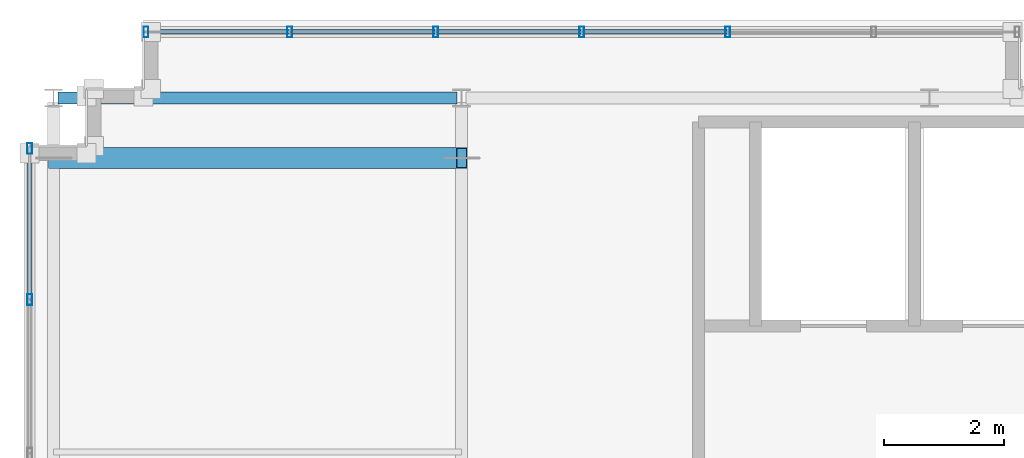
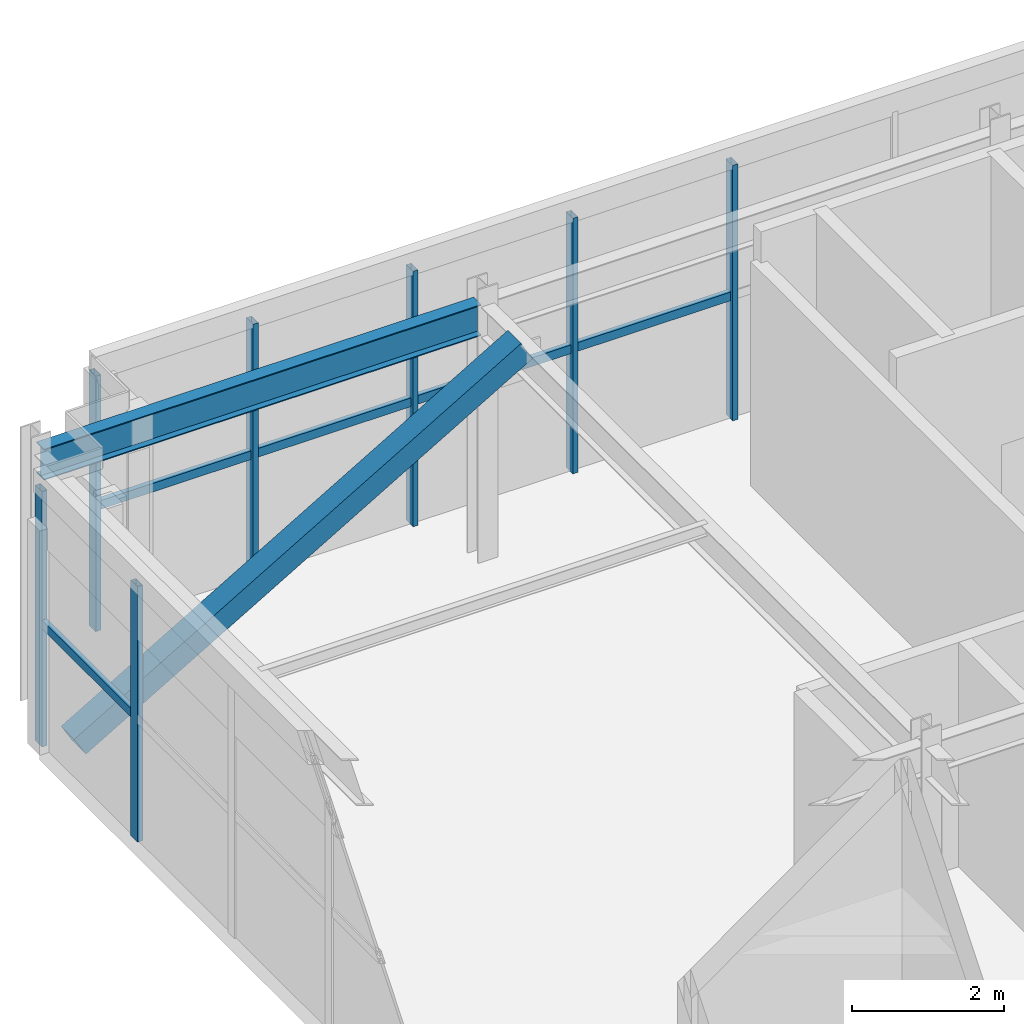
# One storey, part 10 of 28: 13 members, 1 beam, 2 elements without a shape of their own.
"""IFC4 building model written with IfcOpenShell, lengths in metres."""

from ifc_helpers import new_model, si_unit, direction, frame, origin, origin_2d, place, context, subcontext, project, spatial, hollow_rectangle, i_section, extrude, source, transform, mapped, material, material_profile, profile_set, type_object, element, aggregate, save


model = new_model("IFC4")

# Units and contexts
model_context = context("Model", 3, precision=1e-05, world=origin(), true_north=direction((0.0, 1.0)))
body_context = subcontext(model_context, "Body", "Model", "MODEL_VIEW")
ifc_project = project(units=[si_unit("LENGTHUNIT", "METRE"), si_unit("AREAUNIT", "SQUARE_METRE"), si_unit("VOLUMEUNIT", "CUBIC_METRE"), si_unit("PLANEANGLEUNIT", "RADIAN"), si_unit("MASSUNIT", "GRAM", prefix="KILO")], contexts=[model_context])

# Site, building, storey
site_placement = place(None, origin())
site = spatial("IfcSite", under=ifc_project, at=site_placement, CompositionType="ELEMENT")
building_placement = place(site_placement, origin())
building = spatial("IfcBuilding", under=site, at=building_placement, Name="Trelvane Seafront Commons", CompositionType="ELEMENT")
storey_placement = place(building_placement, frame((0.0, 0.0, 312.300048828125)))
storey = spatial("IfcBuildingStorey", under=building, at=storey_placement, Name="L81", CompositionType="ELEMENT", Elevation=312.300048828125)

# Beam
ifc_material_1 = material(Name="Steel SM355 (S355)", Category="steel")
ifc_material_profile_1 = material_profile(ifc_material_1, i_section(OverallWidth=0.199951171875, OverallDepth=0.5, WebThickness=0.010009765625, FlangeThickness=0.01611328125, at=origin_2d()), Name="H-500x200x10x16")
ifc_profile_set_1 = profile_set([ifc_material_profile_1], Name="Steel SM355 (S355)")
beam_type = type_object("IfcBeamType", Name="STR-CROWN-FRAME-RING", PredefinedType="SPANDREL", material=ifc_profile_set_1)
shared_shape_1 = source(origin(), body_context, "Body", "SweptSolid", [
    extrude(i_section(OverallWidth=0.199951171875, OverallDepth=0.5, WebThickness=0.010009765625, FlangeThickness=0.01611328125, at=origin_2d()), origin(), (0.0, 0.0, 1.0), 6.64990234375),
])
beam_placement = place(storey_placement, frame((8.875, 45.10009765625, 3.85986328125), z_axis=(1.0, 0.0, 0.0), x_axis=(0.0, 1.0, 0.0)))
element("IfcBeam", 1, at=beam_placement, inside=storey, type_object=beam_type, Name="L81 CROWN FRAME Ring Beam G-09", PredefinedType="SPANDREL", context=body_context, shape_type="MappedRepresentation", body=[
    mapped(shared_shape_1, transform((0.0, 0.0, 0.0), x_axis=(1.0, 0.0, 0.0), y_axis=(0.0, 1.0, 0.0), z_axis=(0.0, 0.0, 1.0), scale=1.0)),
])

# Member
ifc_material_profile_2 = material_profile(ifc_material_1, hollow_rectangle(XDim=0.35009765625, YDim=0.35009765625, WallThickness=0.01611328125, at=origin_2d()), Name="RHS-350x350x16")
ifc_profile_set_2 = profile_set([ifc_material_profile_2], Name="Steel SM355 (S355)")
member_type_1 = type_object("IfcMemberType", Name="STR-BRC-RHS350", PredefinedType="BRACE", material=ifc_profile_set_2)
shared_shape_2 = source(origin(), body_context, "Body", "SweptSolid", [
    extrude(hollow_rectangle(XDim=0.35009765625, YDim=0.35009765625, WallThickness=0.01611328125, at=origin_2d()), origin(), (0.0, 0.0, 1.0), 7.88427734375),
])
member_1_placement = place(storey_placement, frame((8.800048828125, 44.10009765625, 0.0), z_axis=(0.862490125065, 0.0, 0.506073892002), x_axis=(0.0, 1.0, 0.0)))
element("IfcMember", 2, at=member_1_placement, inside=storey, type_object=member_type_1, Name="L81 CROWN FRAME Diagonal Brace CW", PredefinedType="BRACE", context=body_context, shape_type="MappedRepresentation", body=[
    mapped(shared_shape_2, transform((0.0, 0.0, 0.0), x_axis=(1.0, 0.0, 0.0), y_axis=(0.0, 1.0, 0.0), z_axis=(0.0, 0.0, 1.0), scale=1.0)),
])

# Curtain wall, members
ifc_material_2 = material(Name="Anodised pale-silver aluminium", Category="aluminium")
curtain_wall_type = type_object("IfcCurtainWallType", Name="ARCH-CW6-CROWN", PredefinedType="NOTDEFINED", material=ifc_material_2)
curtain_wall_1_placement = place(storey_placement, origin())
curtain_wall_1 = element("IfcCurtainWall", 3, at=curtain_wall_1_placement, inside=storey, type_object=curtain_wall_type, Name="CW-L81-0144", PredefinedType="NOTDEFINED")
ifc_material_profile_3 = material_profile(ifc_material_2, hollow_rectangle(XDim=0.080078125, YDim=0.179931640625, WallThickness=0.00439453125, at=origin_2d()), Name="MULL-80x180x4.5")
ifc_profile_set_3 = profile_set([ifc_material_profile_3], Name="Anodised pale-silver aluminium")
member_type_2 = type_object("IfcMemberType", Name="ARCH-CW-MULL-180", PredefinedType="MULLION", material=ifc_profile_set_3)
shared_shape_3 = source(origin(), body_context, "Body", "SweptSolid", [
    extrude(hollow_rectangle(XDim=0.080078125, YDim=0.179931640625, WallThickness=0.00439453125, at=origin_2d()), origin(), (0.0, 0.0, 1.0), 4.10986328125),
])
member_2_placement = place(storey_placement, frame((8.39990234375, 41.739990234375, 0.0), z_axis=(0.0, 0.0, 1.0), x_axis=(1.0, 0.0, 0.0)))
member_2 = element("IfcMember", 4, at=member_2_placement, type_object=member_type_2, Name="CW-L81-0144-M09", PredefinedType="MULLION", context=body_context, shape_type="MappedRepresentation", body=[
    mapped(shared_shape_3, transform((0.0, 0.0, 0.0), x_axis=(1.0, 0.0, 0.0), y_axis=(0.0, 1.0, 0.0), z_axis=(0.0, 0.0, 1.0), scale=1.0)),
])
member_3_placement = place(storey_placement, frame((8.39990234375, 44.260009765625, 0.0), z_axis=(0.0, 0.0, 1.0), x_axis=(1.0, 0.0, 0.0)))
member_3 = element("IfcMember", 5, at=member_3_placement, type_object=member_type_2, Name="CW-L81-0144-M10", PredefinedType="MULLION", context=body_context, shape_type="MappedRepresentation", body=[
    mapped(shared_shape_3, transform((0.0, 0.0, 0.0), x_axis=(1.0, 0.0, 0.0), y_axis=(0.0, 1.0, 0.0), z_axis=(0.0, 0.0, 1.0), scale=1.0)),
])

curtain_wall_2_placement = place(storey_placement, origin())
curtain_wall_2 = element("IfcCurtainWall", 6, at=curtain_wall_2_placement, inside=storey, type_object=curtain_wall_type, Name="CW-L81-0145", PredefinedType="NOTDEFINED")
member_4_placement = place(storey_placement, frame((10.340087890625, 46.199951171875, 0.0), z_axis=(0.0, 0.0, 1.0), x_axis=(1.0, 0.0, 0.0)))
member_4 = element("IfcMember", 7, at=member_4_placement, type_object=member_type_2, Name="CW-L81-0145-M00", PredefinedType="MULLION", context=body_context, shape_type="MappedRepresentation", body=[
    mapped(shared_shape_3, transform((0.0, 0.0, 0.0), x_axis=(1.0, 0.0, 0.0), y_axis=(0.0, 1.0, 0.0), z_axis=(0.0, 0.0, 1.0), scale=1.0)),
])
member_5_placement = place(storey_placement, frame((12.7333984375, 46.199951171875, 0.0), z_axis=(0.0, 0.0, 1.0), x_axis=(1.0, 0.0, 0.0)))
member_5 = element("IfcMember", 8, at=member_5_placement, type_object=member_type_2, Name="CW-L81-0145-M01", PredefinedType="MULLION", context=body_context, shape_type="MappedRepresentation", body=[
    mapped(shared_shape_3, transform((0.0, 0.0, 0.0), x_axis=(1.0, 0.0, 0.0), y_axis=(0.0, 1.0, 0.0), z_axis=(0.0, 0.0, 1.0), scale=1.0)),
])
member_6_placement = place(storey_placement, frame((15.166748046875, 46.199951171875, 0.0), z_axis=(0.0, 0.0, 1.0), x_axis=(1.0, 0.0, 0.0)))
member_6 = element("IfcMember", 9, at=member_6_placement, type_object=member_type_2, Name="CW-L81-0145-M02", PredefinedType="MULLION", context=body_context, shape_type="MappedRepresentation", body=[
    mapped(shared_shape_3, transform((0.0, 0.0, 0.0), x_axis=(1.0, 0.0, 0.0), y_axis=(0.0, 1.0, 0.0), z_axis=(0.0, 0.0, 1.0), scale=1.0)),
])
member_7_placement = place(storey_placement, frame((17.60009765625, 46.199951171875, 0.0), z_axis=(0.0, 0.0, 1.0), x_axis=(1.0, 0.0, 0.0)))
member_7 = element("IfcMember", 10, at=member_7_placement, type_object=member_type_2, Name="CW-L81-0145-M03", PredefinedType="MULLION", context=body_context, shape_type="MappedRepresentation", body=[
    mapped(shared_shape_3, transform((0.0, 0.0, 0.0), x_axis=(1.0, 0.0, 0.0), y_axis=(0.0, 1.0, 0.0), z_axis=(0.0, 0.0, 1.0), scale=1.0)),
])
member_8_placement = place(storey_placement, frame((20.033203125, 46.199951171875, 0.0), z_axis=(0.0, 0.0, 1.0), x_axis=(1.0, 0.0, 0.0)))
member_8 = element("IfcMember", 11, at=member_8_placement, type_object=member_type_2, Name="CW-L81-0145-M04", PredefinedType="MULLION", context=body_context, shape_type="MappedRepresentation", body=[
    mapped(shared_shape_3, transform((0.0, 0.0, 0.0), x_axis=(1.0, 0.0, 0.0), y_axis=(0.0, 1.0, 0.0), z_axis=(0.0, 0.0, 1.0), scale=1.0)),
])

# Member
ifc_material_profile_4 = material_profile(ifc_material_2, hollow_rectangle(XDim=0.074951171875, YDim=0.139892578125, WallThickness=0.00390625, at=origin_2d()), Name="TRAN-75x140x4")
ifc_profile_set_4 = profile_set([ifc_material_profile_4], Name="Anodised pale-silver aluminium")
member_type_3 = type_object("IfcMemberType", Name="ARCH-CW-TRAN-140", PredefinedType="USERDEFINED", material=ifc_profile_set_4)
shared_shape_4 = source(origin(), body_context, "Body", "SweptSolid", [
    extrude(hollow_rectangle(XDim=0.074951171875, YDim=0.139892578125, WallThickness=0.00390625, at=origin_2d()), origin(), (0.0, 0.0, 1.0), 2.5361328125),
])
member_9_placement = place(storey_placement, frame((8.39990234375, 41.751953125, 1.972900390625), z_axis=(0.0, 1.0, 0.0), x_axis=(-1.0, 0.0, 0.0)))
member_9 = element("IfcMember", 12, at=member_9_placement, type_object=member_type_3, Name="CW-L81-0144-T09", ObjectType="TRANSOM", PredefinedType="USERDEFINED", context=body_context, shape_type="MappedRepresentation", body=[
    mapped(shared_shape_4, transform((0.0, 0.0, 0.0), x_axis=(1.0, 0.0, 0.0), y_axis=(0.0, 1.0, 0.0), z_axis=(0.0, 0.0, 1.0), scale=1.0)),
])

aggregate(curtain_wall_1, [member_2, member_3, member_9])

shared_shape_5 = source(origin(), body_context, "Body", "SweptSolid", [
    extrude(hollow_rectangle(XDim=0.074951171875, YDim=0.139892578125, WallThickness=0.00390625, at=origin_2d()), origin(), (0.0, 0.0, 1.0), 2.4091796875),
])
member_10_placement = place(storey_placement, frame((10.31201171875, 46.199951171875, 1.972900390625), z_axis=(1.0, 0.0, 0.0), x_axis=(0.0, 1.0, 0.0)))
member_10 = element("IfcMember", 13, at=member_10_placement, type_object=member_type_3, Name="CW-L81-0145-T00", ObjectType="TRANSOM", PredefinedType="USERDEFINED", context=body_context, shape_type="MappedRepresentation", body=[
    mapped(shared_shape_5, transform((0.0, 0.0, 0.0), x_axis=(1.0, 0.0, 0.0), y_axis=(0.0, 1.0, 0.0), z_axis=(0.0, 0.0, 1.0), scale=1.0)),
])

member_11_placement = place(storey_placement, frame((15.1787109375, 46.199951171875, 1.972900390625), z_axis=(1.0, 0.0, 0.0), x_axis=(0.0, 1.0, 0.0)))
member_11 = element("IfcMember", 14, at=member_11_placement, type_object=member_type_3, Name="CW-L81-0145-T02", ObjectType="TRANSOM", PredefinedType="USERDEFINED", context=body_context, shape_type="MappedRepresentation", body=[
    mapped(shared_shape_5, transform((0.0, 0.0, 0.0), x_axis=(1.0, 0.0, 0.0), y_axis=(0.0, 1.0, 0.0), z_axis=(0.0, 0.0, 1.0), scale=1.0)),
])

member_12_placement = place(storey_placement, frame((17.612060546875, 46.199951171875, 1.972900390625), z_axis=(1.0, 0.0, 0.0), x_axis=(0.0, 1.0, 0.0)))
member_12 = element("IfcMember", 15, at=member_12_placement, type_object=member_type_3, Name="CW-L81-0145-T03", ObjectType="TRANSOM", PredefinedType="USERDEFINED", context=body_context, shape_type="MappedRepresentation", body=[
    mapped(shared_shape_5, transform((0.0, 0.0, 0.0), x_axis=(1.0, 0.0, 0.0), y_axis=(0.0, 1.0, 0.0), z_axis=(0.0, 0.0, 1.0), scale=1.0)),
])

shared_shape_6 = source(origin(), body_context, "Body", "SweptSolid", [
    extrude(hollow_rectangle(XDim=0.074951171875, YDim=0.139892578125, WallThickness=0.00390625, at=origin_2d()), origin(), (0.0, 0.0, 1.0), 2.409423828125),
])
member_13_placement = place(storey_placement, frame((12.745361328125, 46.199951171875, 1.972900390625), z_axis=(1.0, 0.0, 0.0), x_axis=(0.0, 1.0, 0.0)))
member_13 = element("IfcMember", 16, at=member_13_placement, type_object=member_type_3, Name="CW-L81-0145-T01", ObjectType="TRANSOM", PredefinedType="USERDEFINED", context=body_context, shape_type="MappedRepresentation", body=[
    mapped(shared_shape_6, transform((0.0, 0.0, 0.0), x_axis=(1.0, 0.0, 0.0), y_axis=(0.0, 1.0, 0.0), z_axis=(0.0, 0.0, 1.0), scale=1.0)),
])

aggregate(curtain_wall_2, [member_4, member_5, member_6, member_7, member_8, member_10, member_13, member_11, member_12])

save(model, "model.ifc")
